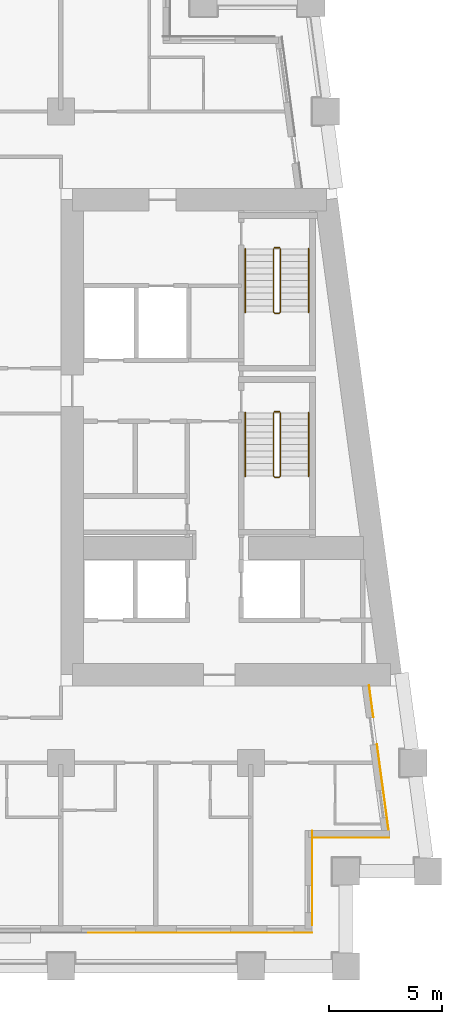
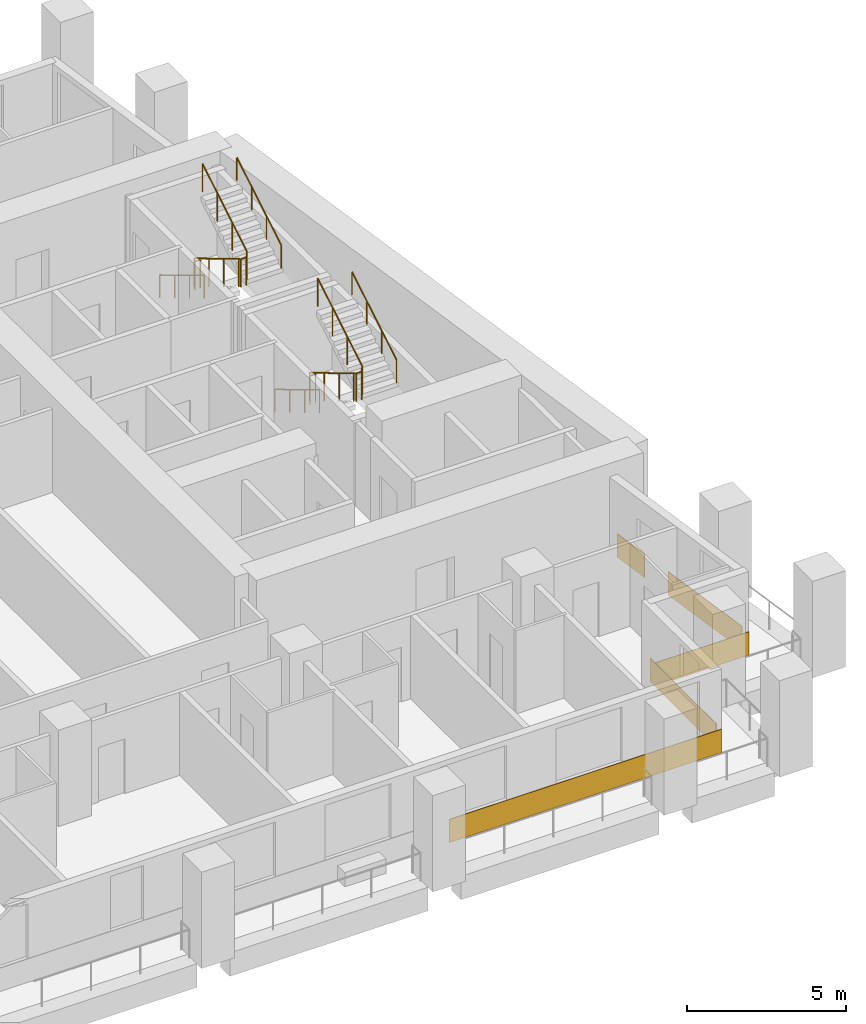
# One storey, part 11 of 13: 8 railings, 5 coverings.
"""IFC4 building model written with IfcOpenShell, lengths in metres."""

from ifc_helpers import new_model, si_unit, direction, frame, origin, origin_2d, place, context, subcontext, project, spatial, rectangle, circle, extrude, material, layer, layer_set, type_object, element, save


model = new_model("IFC4")

# Units and contexts
model_context = context("Model", 3, precision=1e-05, world=origin(), true_north=direction((0.0, 1.0)))
body_context = subcontext(model_context, "Body", "Model", "MODEL_VIEW")
ifc_project = project(units=[si_unit("LENGTHUNIT", "METRE"), si_unit("AREAUNIT", "SQUARE_METRE"), si_unit("VOLUMEUNIT", "CUBIC_METRE"), si_unit("PLANEANGLEUNIT", "RADIAN"), si_unit("MASSUNIT", "GRAM", prefix="KILO")], contexts=[model_context])

# Site, building, storey
site_placement = place(None, origin())
site = spatial("IfcSite", under=ifc_project, at=site_placement, CompositionType="ELEMENT")
building_placement = place(site_placement, origin())
building = spatial("IfcBuilding", under=site, at=building_placement, Name="Candeia Pilgrim Tower and Theatre", CompositionType="ELEMENT")
storey_placement = place(building_placement, frame((0.0, 0.0, 131.699951171875)))
storey = spatial("IfcBuildingStorey", under=building, at=storey_placement, Name="L31", CompositionType="ELEMENT", Elevation=131.699951171875)

# Coverings
ifc_material_1 = material(Name="Glazed ceramic tile red")
ifc_layer = layer(ifc_material_1, 0.02001953125)
ifc_layer_set = layer_set([ifc_layer], Name="Glazed ceramic tile red")
covering_type = type_object("IfcCoveringType", Name="Glazed ceramic tile red", PredefinedType="CLADDING", material=ifc_layer_set)
covering_1_placement = place(storey_placement, frame((132.14990234375, 99.489990234375, 0.0), z_axis=(0.0, 0.0, 1.0), x_axis=(1.0, 0.0, 0.0)))
element("IfcCovering", 1, at=covering_1_placement, inside=storey, type_object=covering_type, Name="Tile cladding red L31", PredefinedType="CLADDING", context=body_context, shape_type="SweptSolid", body=[
    extrude(rectangle(XDim=9.89990234375, YDim=0.02001953125, at=origin_2d()), origin(), (0.0, 0.0, 1.0), 0.89990234375),
])
covering_2_placement = place(storey_placement, frame((137.110107421875, 101.909912109375, 0.0), z_axis=(0.0, 0.0, 1.0), x_axis=(0.0, 1.0, 0.0)))
element("IfcCovering", 2, at=covering_2_placement, inside=storey, type_object=covering_type, Name="Tile cladding red L31", PredefinedType="CLADDING", context=body_context, shape_type="SweptSolid", body=[
    extrude(rectangle(XDim=4.179931640625, YDim=0.02001953125, at=origin_2d()), origin(), (0.0, 0.0, 1.0), 0.89990234375),
])
covering_3_placement = place(storey_placement, frame((138.819580078125, 103.68994140625, 0.0), z_axis=(0.0, 0.0, 1.0), x_axis=(1.0, 0.0, 0.0)))
element("IfcCovering", 3, at=covering_3_placement, inside=storey, type_object=covering_type, Name="Tile cladding red L31", PredefinedType="CLADDING", context=body_context, shape_type="SweptSolid", body=[
    extrude(rectangle(XDim=3.399169921875, YDim=0.02001953125, at=origin_2d()), origin(), (0.0, 0.0, 1.0), 0.89990234375),
])
covering_4_placement = place(storey_placement, frame((140.228515625, 105.933349609375, 0.0), z_axis=(0.0, 0.0, 1.0), x_axis=(-0.133412012145, 0.991060661622, 0.0)))
element("IfcCovering", 4, at=covering_4_placement, inside=storey, type_object=covering_type, Name="Tile cladding red L31", PredefinedType="CLADDING", context=body_context, shape_type="SweptSolid", body=[
    extrude(rectangle(XDim=3.821044921875, YDim=0.02001953125, at=origin_2d()), origin(), (0.0, 0.0, 1.0), 0.89990234375),
])
covering_5_placement = place(storey_placement, frame((139.718994140625, 109.71875, 0.0), z_axis=(0.0, 0.0, 1.0), x_axis=(-0.133412012145, 0.991060661622, 0.0)))
element("IfcCovering", 5, at=covering_5_placement, inside=storey, type_object=covering_type, Name="Tile cladding red L31", PredefinedType="CLADDING", context=body_context, shape_type="SweptSolid", body=[
    extrude(rectangle(XDim=1.41796875, YDim=0.02001953125, at=origin_2d()), origin(), (0.0, 0.0, 1.0), 0.89990234375),
])

# Railings
ifc_material_2 = material(Name="Stainless steel balustrade", Category="steel")
railing_type_1 = type_object("IfcRailingType", Name="RL-GUARD-1100", PredefinedType="GUARDRAIL", material=ifc_material_2)
railing_1_placement = place(storey_placement, frame((135.39794921875, 122.47509765625, 0.168212890625)))
element("IfcRailing", 6, at=railing_1_placement, inside=storey, type_object=railing_type_1, Name="L31 ST3 stair guard 1", PredefinedType="GUARDRAIL", context=body_context, shape_type="SweptSolid", body=[
    extrude(circle(Radius=0.02392578125, at=origin_2d()), frame((0.0, 0.0, 1.076171875), z_axis=(0.0, -0.857242210791, 0.514913383045), x_axis=(1.0, 0.0, 0.0)), (0.0, 0.0, 1.0), 3.266357421875),
    extrude(circle(Radius=0.02392578125, at=origin_2d()), frame((0.0, -2.800048828125, 2.7578125), z_axis=(0.707106781187, -0.707106781187, 0.0), x_axis=(0.707106781187, 0.707106781187, 0.0)), (0.0, 0.0, 1.0), 0.07080078125),
    extrude(circle(Radius=0.02392578125, at=origin_2d()), frame((0.050048828125, -2.85009765625, 2.7578125), z_axis=(1.0, 0.0, 0.0), x_axis=(0.0, 1.0, 0.0)), (0.0, 0.0, 1.0), 0.199951171875),
    extrude(circle(Radius=0.02392578125, at=origin_2d()), frame((0.25, -2.85009765625, 2.7578125), z_axis=(0.274243871929, 0.274243871929, 0.92172696468), x_axis=(-0.707106781187, 0.707106781187, 0.0)), (0.0, 0.0, 1.0), 0.1826171875),
    extrude(circle(Radius=0.02392578125, at=origin_2d()), frame((0.300048828125, -2.800048828125, 2.92626953125), z_axis=(0.0, 0.857275202839, 0.514858452973), x_axis=(-1.0, 0.0, 0.0)), (0.0, 0.0, 1.0), 3.26611328125),
    extrude(circle(Radius=0.02099609375, at=origin_2d()), origin(), (0.0, 0.0, 1.0), 1.052001953125),
    extrude(circle(Radius=0.02099609375, at=origin_2d()), frame((0.0, -0.933349609375, 0.560546875)), (0.0, 0.0, 1.0), 1.052001953125),
    extrude(circle(Radius=0.02099609375, at=origin_2d()), frame((0.0, -1.86669921875, 1.121337890625)), (0.0, 0.0, 1.0), 1.052001953125),
    extrude(circle(Radius=0.02099609375, at=origin_2d()), frame((0.0, -2.800048828125, 1.681884765625)), (0.0, 0.0, 1.0), 1.052001953125),
    extrude(circle(Radius=0.02099609375, at=origin_2d()), frame((0.050048828125, -2.85009765625, 1.681884765625)), (0.0, 0.0, 1.0), 1.052001953125),
    extrude(circle(Radius=0.02099609375, at=origin_2d()), frame((0.25, -2.85009765625, 1.681884765625)), (0.0, 0.0, 1.0), 1.052001953125),
    extrude(circle(Radius=0.02099609375, at=origin_2d()), frame((0.300048828125, -2.800048828125, 1.85009765625)), (0.0, 0.0, 1.0), 1.052001953125),
    extrude(circle(Radius=0.02099609375, at=origin_2d()), frame((0.300048828125, -1.86669921875, 2.41064453125)), (0.0, 0.0, 1.0), 1.052001953125),
    extrude(circle(Radius=0.02099609375, at=origin_2d()), frame((0.300048828125, -0.933349609375, 2.97119140625)), (0.0, 0.0, 1.0), 1.052001953125),
    extrude(circle(Radius=0.02099609375, at=origin_2d()), frame((0.300048828125, 0.0, 3.53173828125)), (0.0, 0.0, 1.0), 1.052001953125),
])
railing_2_placement = place(storey_placement, frame((135.447998046875, 122.52490234375, 0.0)))
element("IfcRailing", 7, at=railing_2_placement, inside=storey, type_object=railing_type_1, Name="L31 ST3 stair guard 2", PredefinedType="GUARDRAIL", context=body_context, shape_type="SweptSolid", body=[
    extrude(circle(Radius=0.02392578125, at=origin_2d()), frame((0.0, 0.0, 1.076171875), z_axis=(1.0, 0.0, 0.0), x_axis=(0.0, 1.0, 0.0)), (0.0, 0.0, 1.0), 0.199951171875),
    extrude(circle(Radius=0.02099609375, at=origin_2d()), origin(), (0.0, 0.0, 1.0), 1.052001953125),
    extrude(circle(Radius=0.02099609375, at=origin_2d()), frame((0.199951171875, 0.0, 0.0)), (0.0, 0.0, 1.0), 1.052001953125),
])
railing_3_placement = place(storey_placement, frame((135.39794921875, 129.72509765625, 0.168212890625)))
element("IfcRailing", 8, at=railing_3_placement, inside=storey, type_object=railing_type_1, Name="L31 ST4 stair guard 1", PredefinedType="GUARDRAIL", context=body_context, shape_type="SweptSolid", body=[
    extrude(circle(Radius=0.02392578125, at=origin_2d()), frame((0.0, 0.0, 1.076171875), z_axis=(0.0, -0.857242210791, 0.514913383045), x_axis=(1.0, 0.0, 0.0)), (0.0, 0.0, 1.0), 3.266357421875),
    extrude(circle(Radius=0.02392578125, at=origin_2d()), frame((0.0, -2.800048828125, 2.7578125), z_axis=(0.707106781187, -0.707106781187, 0.0), x_axis=(0.707106781187, 0.707106781187, 0.0)), (0.0, 0.0, 1.0), 0.07080078125),
    extrude(circle(Radius=0.02392578125, at=origin_2d()), frame((0.050048828125, -2.85009765625, 2.7578125), z_axis=(1.0, 0.0, 0.0), x_axis=(0.0, 1.0, 0.0)), (0.0, 0.0, 1.0), 0.199951171875),
    extrude(circle(Radius=0.02392578125, at=origin_2d()), frame((0.25, -2.85009765625, 2.7578125), z_axis=(0.274243871929, 0.274243871929, 0.92172696468), x_axis=(-0.707106781187, 0.707106781187, 0.0)), (0.0, 0.0, 1.0), 0.1826171875),
    extrude(circle(Radius=0.02392578125, at=origin_2d()), frame((0.300048828125, -2.800048828125, 2.92626953125), z_axis=(0.0, 0.857275202839, 0.514858452973), x_axis=(-1.0, 0.0, 0.0)), (0.0, 0.0, 1.0), 3.26611328125),
    extrude(circle(Radius=0.02099609375, at=origin_2d()), origin(), (0.0, 0.0, 1.0), 1.052001953125),
    extrude(circle(Radius=0.02099609375, at=origin_2d()), frame((0.0, -0.933349609375, 0.560546875)), (0.0, 0.0, 1.0), 1.052001953125),
    extrude(circle(Radius=0.02099609375, at=origin_2d()), frame((0.0, -1.86669921875, 1.121337890625)), (0.0, 0.0, 1.0), 1.052001953125),
    extrude(circle(Radius=0.02099609375, at=origin_2d()), frame((0.0, -2.800048828125, 1.681884765625)), (0.0, 0.0, 1.0), 1.052001953125),
    extrude(circle(Radius=0.02099609375, at=origin_2d()), frame((0.050048828125, -2.85009765625, 1.681884765625)), (0.0, 0.0, 1.0), 1.052001953125),
    extrude(circle(Radius=0.02099609375, at=origin_2d()), frame((0.25, -2.85009765625, 1.681884765625)), (0.0, 0.0, 1.0), 1.052001953125),
    extrude(circle(Radius=0.02099609375, at=origin_2d()), frame((0.300048828125, -2.800048828125, 1.85009765625)), (0.0, 0.0, 1.0), 1.052001953125),
    extrude(circle(Radius=0.02099609375, at=origin_2d()), frame((0.300048828125, -1.86669921875, 2.41064453125)), (0.0, 0.0, 1.0), 1.052001953125),
    extrude(circle(Radius=0.02099609375, at=origin_2d()), frame((0.300048828125, -0.933349609375, 2.97119140625)), (0.0, 0.0, 1.0), 1.052001953125),
    extrude(circle(Radius=0.02099609375, at=origin_2d()), frame((0.300048828125, 0.0, 3.53173828125)), (0.0, 0.0, 1.0), 1.052001953125),
])
railing_4_placement = place(storey_placement, frame((135.447998046875, 129.77490234375, 0.0)))
element("IfcRailing", 9, at=railing_4_placement, inside=storey, type_object=railing_type_1, Name="L31 ST4 stair guard 2", PredefinedType="GUARDRAIL", context=body_context, shape_type="SweptSolid", body=[
    extrude(circle(Radius=0.02392578125, at=origin_2d()), frame((0.0, 0.0, 1.076171875), z_axis=(1.0, 0.0, 0.0), x_axis=(0.0, 1.0, 0.0)), (0.0, 0.0, 1.0), 0.199951171875),
    extrude(circle(Radius=0.02099609375, at=origin_2d()), origin(), (0.0, 0.0, 1.0), 1.052001953125),
    extrude(circle(Radius=0.02099609375, at=origin_2d()), frame((0.199951171875, 0.0, 0.0)), (0.0, 0.0, 1.0), 1.052001953125),
])
ifc_material_3 = material(Name="Stainless steel handrail", Category="steel")
railing_type_2 = type_object("IfcRailingType", Name="RL-HANDRAIL-900", PredefinedType="HANDRAIL", material=ifc_material_3)
railing_5_placement = place(storey_placement, frame((134.14794921875, 122.47509765625, 0.168212890625)))
element("IfcRailing", 10, at=railing_5_placement, inside=storey, type_object=railing_type_2, Name="L31 ST3 stair handrail 1", PredefinedType="HANDRAIL", context=body_context, shape_type="SweptSolid", body=[
    extrude(circle(Radius=0.02392578125, at=origin_2d()), frame((0.0, 0.0, 0.8759765625), z_axis=(0.0, -0.857242210791, 0.514913383045), x_axis=(1.0, 0.0, 0.0)), (0.0, 0.0, 1.0), 3.266357421875),
    extrude(circle(Radius=0.02099609375, at=origin_2d()), origin(), (0.0, 0.0, 1.0), 0.851806640625),
    extrude(circle(Radius=0.02099609375, at=origin_2d()), frame((0.0, -0.933349609375, 0.560546875)), (0.0, 0.0, 1.0), 0.851806640625),
    extrude(circle(Radius=0.02099609375, at=origin_2d()), frame((0.0, -1.86669921875, 1.121337890625)), (0.0, 0.0, 1.0), 0.851806640625),
    extrude(circle(Radius=0.02099609375, at=origin_2d()), frame((0.0, -2.800048828125, 1.681884765625)), (0.0, 0.0, 1.0), 0.851806640625),
])
railing_6_placement = place(storey_placement, frame((136.947998046875, 119.675048828125, 2.018310546875)))
element("IfcRailing", 11, at=railing_6_placement, inside=storey, type_object=railing_type_2, Name="L31 ST3 stair handrail 2", PredefinedType="HANDRAIL", context=body_context, shape_type="SweptSolid", body=[
    extrude(circle(Radius=0.02392578125, at=origin_2d()), frame((0.0, 0.0, 0.8759765625), z_axis=(0.0, 0.857275202839, 0.514858452973), x_axis=(-1.0, 0.0, 0.0)), (0.0, 0.0, 1.0), 3.26611328125),
    extrude(circle(Radius=0.02099609375, at=origin_2d()), origin(), (0.0, 0.0, 1.0), 0.851806640625),
    extrude(circle(Radius=0.02099609375, at=origin_2d()), frame((0.0, 0.933349609375, 0.560546875)), (0.0, 0.0, 1.0), 0.851806640625),
    extrude(circle(Radius=0.02099609375, at=origin_2d()), frame((0.0, 1.86669921875, 1.12109375)), (0.0, 0.0, 1.0), 0.851806640625),
    extrude(circle(Radius=0.02099609375, at=origin_2d()), frame((0.0, 2.800048828125, 1.681640625)), (0.0, 0.0, 1.0), 0.851806640625),
])
railing_7_placement = place(storey_placement, frame((134.14794921875, 129.72509765625, 0.168212890625)))
element("IfcRailing", 12, at=railing_7_placement, inside=storey, type_object=railing_type_2, Name="L31 ST4 stair handrail 1", PredefinedType="HANDRAIL", context=body_context, shape_type="SweptSolid", body=[
    extrude(circle(Radius=0.02392578125, at=origin_2d()), frame((0.0, 0.0, 0.8759765625), z_axis=(0.0, -0.857242210791, 0.514913383045), x_axis=(1.0, 0.0, 0.0)), (0.0, 0.0, 1.0), 3.266357421875),
    extrude(circle(Radius=0.02099609375, at=origin_2d()), origin(), (0.0, 0.0, 1.0), 0.851806640625),
    extrude(circle(Radius=0.02099609375, at=origin_2d()), frame((0.0, -0.933349609375, 0.560546875)), (0.0, 0.0, 1.0), 0.851806640625),
    extrude(circle(Radius=0.02099609375, at=origin_2d()), frame((0.0, -1.86669921875, 1.121337890625)), (0.0, 0.0, 1.0), 0.851806640625),
    extrude(circle(Radius=0.02099609375, at=origin_2d()), frame((0.0, -2.800048828125, 1.681884765625)), (0.0, 0.0, 1.0), 0.851806640625),
])
railing_8_placement = place(storey_placement, frame((136.947998046875, 126.925048828125, 2.018310546875)))
element("IfcRailing", 13, at=railing_8_placement, inside=storey, type_object=railing_type_2, Name="L31 ST4 stair handrail 2", PredefinedType="HANDRAIL", context=body_context, shape_type="SweptSolid", body=[
    extrude(circle(Radius=0.02392578125, at=origin_2d()), frame((0.0, 0.0, 0.8759765625), z_axis=(0.0, 0.857275202839, 0.514858452973), x_axis=(-1.0, 0.0, 0.0)), (0.0, 0.0, 1.0), 3.26611328125),
    extrude(circle(Radius=0.02099609375, at=origin_2d()), origin(), (0.0, 0.0, 1.0), 0.851806640625),
    extrude(circle(Radius=0.02099609375, at=origin_2d()), frame((0.0, 0.933349609375, 0.560546875)), (0.0, 0.0, 1.0), 0.851806640625),
    extrude(circle(Radius=0.02099609375, at=origin_2d()), frame((0.0, 1.86669921875, 1.12109375)), (0.0, 0.0, 1.0), 0.851806640625),
    extrude(circle(Radius=0.02099609375, at=origin_2d()), frame((0.0, 2.800048828125, 1.681640625)), (0.0, 0.0, 1.0), 0.851806640625),
])

save(model, "model.ifc")
